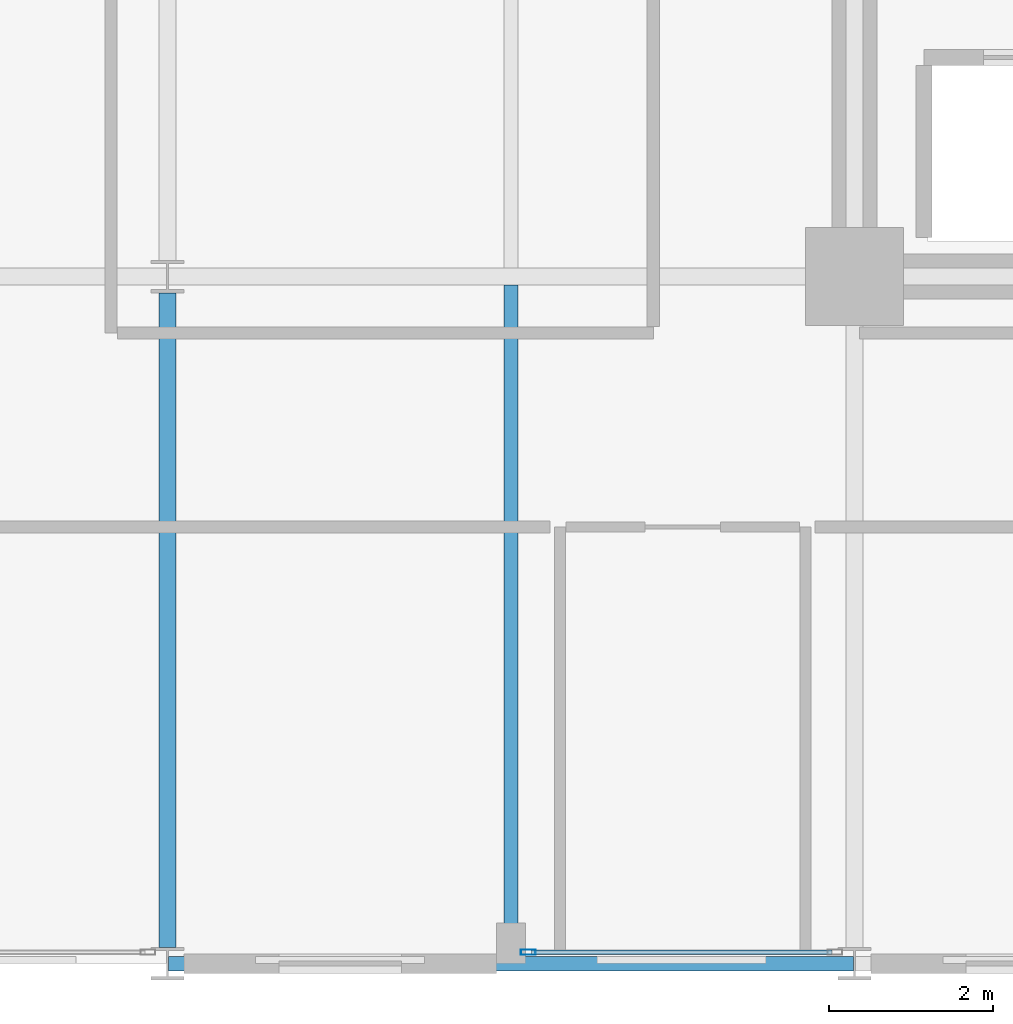
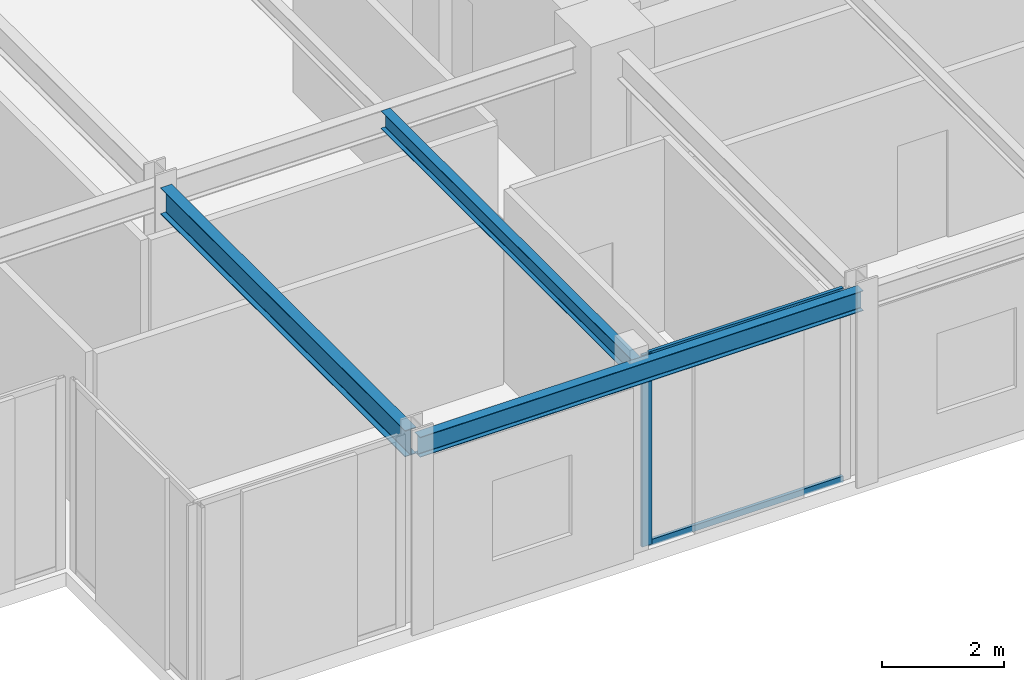
# One storey, part 3 of 29: 3 beams, 3 members, 1 element without a shape of its own.
"""IFC4 building model written with IfcOpenShell, lengths in metres."""

from ifc_helpers import new_model, si_unit, direction, frame, origin, origin_2d, place, context, subcontext, project, spatial, hollow_rectangle, i_section, extrude, material, layer, layer_set, material_profile, profile_set, type_object, element, aggregate, save


model = new_model("IFC4")

# Units and contexts
model_context = context("Model", 3, precision=1e-05, world=origin(), true_north=direction((0.0, 1.0)))
body_context = subcontext(model_context, "Body", "Model", "MODEL_VIEW")
ifc_project = project(units=[si_unit("LENGTHUNIT", "METRE"), si_unit("AREAUNIT", "SQUARE_METRE"), si_unit("VOLUMEUNIT", "CUBIC_METRE"), si_unit("PLANEANGLEUNIT", "RADIAN"), si_unit("MASSUNIT", "GRAM", prefix="KILO")], contexts=[model_context])

# Site, building, storey
site_placement = place(None, origin())
site = spatial("IfcSite", under=ifc_project, at=site_placement, CompositionType="ELEMENT")
building_placement = place(site_placement, origin())
building = spatial("IfcBuilding", under=site, at=building_placement, Name="Nerrivon Quay Data Exchange", CompositionType="ELEMENT")
storey_placement = place(building_placement, frame((0.0, 0.0, 125.39990234375)))
storey = spatial("IfcBuildingStorey", under=building, at=storey_placement, Name="L29", CompositionType="ELEMENT", Elevation=125.39990234375)

# Beams
ifc_material_1 = material(Name="Steel Grade 350", Category="steel")
ifc_material_profile_1 = material_profile(ifc_material_1, i_section(OverallWidth=0.208984375, OverallDepth=0.528076171875, WebThickness=0.009521484375, FlangeThickness=0.01318359375, FilletRadius=0.013916015625, at=origin_2d()), Name="530UB82.0")
ifc_profile_set_1 = profile_set([ifc_material_profile_1], Name="Steel Grade 350")
beam_type_1 = type_object("IfcBeamType", Name="BM-G4-530UB82", PredefinedType="BEAM", material=ifc_profile_set_1)
beam_1_placement = place(storey_placement, frame((8.39990234375, 0.199951171875, 3.56103515625), z_axis=(0.0, 1.0, 0.0), x_axis=(-1.0, 0.0, 0.0)))
element("IfcBeam", 1, at=beam_1_placement, inside=storey, type_object=beam_type_1, Name="L29 NS Girder X=8.4 (0.0..8.4)", PredefinedType="BEAM", context=body_context, shape_type="SweptSolid", body=[
    extrude(i_section(OverallWidth=0.208984375, OverallDepth=0.528076171875, WebThickness=0.009521484375, FlangeThickness=0.01318359375, FilletRadius=0.013916015625, at=origin_2d()), origin(), (0.0, 0.0, 1.0), 8.0),
])
ifc_material_profile_2 = material_profile(ifc_material_1, i_section(OverallWidth=0.1708984375, OverallDepth=0.35595703125, WebThickness=0.00732421875, FlangeThickness=0.011474609375, FilletRadius=0.011474609375, at=origin_2d()), Name="360UB50.7")
ifc_profile_set_2 = profile_set([ifc_material_profile_2], Name="Steel Grade 350")
beam_type_2 = type_object("IfcBeamType", Name="BM-J4-360UB51", PredefinedType="JOIST", material=ifc_profile_set_2)
beam_2_placement = place(storey_placement, frame((12.60009765625, 0.089111328125, 3.647216796875), z_axis=(0.0, 1.0, 0.0), x_axis=(-1.0, 0.0, 0.0)))
element("IfcBeam", 2, at=beam_2_placement, inside=storey, type_object=beam_type_2, Name="L29 Secondary Joist X=12.6 (0.0..8.4)", PredefinedType="JOIST", context=body_context, shape_type="SweptSolid", body=[
    extrude(i_section(OverallWidth=0.1708984375, OverallDepth=0.35595703125, WebThickness=0.00732421875, FlangeThickness=0.011474609375, FilletRadius=0.011474609375, at=origin_2d()), origin(), (0.0, 0.0, 1.0), 8.206298828125),
])
ifc_material_profile_3 = material_profile(ifc_material_1, i_section(OverallWidth=0.177978515625, OverallDepth=0.403076171875, WebThickness=0.007568359375, FlangeThickness=0.010986328125, FilletRadius=0.011474609375, at=origin_2d()), Name="410UB53.7")
ifc_profile_set_3 = profile_set([ifc_material_profile_3], Name="Steel Grade 350")
beam_type_3 = type_object("IfcBeamType", Name="BM-SP2-410UB54", PredefinedType="SPANDREL", material=ifc_profile_set_3)
beam_3_placement = place(storey_placement, frame((8.41259765625, 0.0, 3.62353515625), z_axis=(1.0, 0.0, 0.0), x_axis=(0.0, 1.0, 0.0)))
element("IfcBeam", 3, at=beam_3_placement, inside=storey, type_object=beam_type_3, Name="L29 EW Girder Y=0.0 (8.4..16.8)", PredefinedType="SPANDREL", context=body_context, shape_type="SweptSolid", body=[
    extrude(i_section(OverallWidth=0.177978515625, OverallDepth=0.403076171875, WebThickness=0.007568359375, FlangeThickness=0.010986328125, FilletRadius=0.011474609375, at=origin_2d()), origin(), (0.0, 0.0, 1.0), 8.375),
])

# Curtain wall, members
ifc_material_2 = material(Name="Anodised aluminium 6063-T6", Category="aluminium")
ifc_layer = layer(ifc_material_2, 0.2099609375)
ifc_layer_set = layer_set([ifc_layer], Name="Anodised aluminium 6063-T6")
curtain_wall_type = type_object("IfcCurtainWallType", Name="CW-SYS-02", PredefinedType="NOTDEFINED", material=ifc_layer_set)
curtain_wall_placement = place(storey_placement, origin())
curtain_wall = element("IfcCurtainWall", 4, at=curtain_wall_placement, inside=storey, type_object=curtain_wall_type, Name="L29 Unitised Curtain Wall 6", PredefinedType="NOTDEFINED")
ifc_material_profile_4 = material_profile(ifc_material_2, hollow_rectangle(XDim=0.06494140625, YDim=0.179931640625, WallThickness=0.00341796875, at=origin_2d()), Name="ALU-MULL-180x65")
ifc_profile_set_4 = profile_set([ifc_material_profile_4], Name="Anodised aluminium 6063-T6")
member_type_1 = type_object("IfcMemberType", Name="CWM-180x65", PredefinedType="MULLION", material=ifc_profile_set_4)
member_1_placement = place(storey_placement, frame((12.8125, 0.139892578125, 0.0), z_axis=(0.0, 0.0, 1.0), x_axis=(0.0, -1.0, 0.0)))
member_1 = element("IfcMember", 5, at=member_1_placement, type_object=member_type_1, Name="CW02 mullion 2", PredefinedType="MULLION", context=body_context, shape_type="SweptSolid", body=[
    extrude(hollow_rectangle(XDim=0.06494140625, YDim=0.179931640625, WallThickness=0.00341796875, at=origin_2d()), origin(), (0.0, 0.0, 1.0), 3.8251953125),
])
ifc_material_profile_5 = material_profile(ifc_material_2, hollow_rectangle(XDim=0.06005859375, YDim=0.1201171875, WallThickness=0.003173828125, at=origin_2d()), Name="ALU-TRAN-120x60")
ifc_profile_set_5 = profile_set([ifc_material_profile_5], Name="Anodised aluminium 6063-T6")
member_type_2 = type_object("IfcMemberType", Name="CWT-120x60", PredefinedType="USERDEFINED", material=ifc_profile_set_5)
member_2_placement = place(storey_placement, frame((16.52490234375, 0.139892578125, 0.03271484375), z_axis=(-1.0, 0.0, 0.0), x_axis=(0.0, -1.0, 0.0)))
member_2 = element("IfcMember", 6, at=member_2_placement, type_object=member_type_2, Name="CW02 transom 1.1", ObjectType="TRANSOM", PredefinedType="USERDEFINED", context=body_context, shape_type="SweptSolid", body=[
    extrude(hollow_rectangle(XDim=0.06005859375, YDim=0.1201171875, WallThickness=0.003173828125, at=origin_2d()), origin(), (0.0, 0.0, 1.0), 3.6748046875),
])
member_3_placement = place(storey_placement, frame((16.52490234375, 0.139892578125, 3.79248046875), z_axis=(-1.0, 0.0, 0.0), x_axis=(0.0, -1.0, 0.0)))
member_3 = element("IfcMember", 7, at=member_3_placement, type_object=member_type_2, Name="CW02 transom 1.2", ObjectType="TRANSOM", PredefinedType="USERDEFINED", context=body_context, shape_type="SweptSolid", body=[
    extrude(hollow_rectangle(XDim=0.06005859375, YDim=0.1201171875, WallThickness=0.003173828125, at=origin_2d()), origin(), (0.0, 0.0, 1.0), 3.6748046875),
])
aggregate(curtain_wall, [member_1, member_2, member_3])

save(model, "model.ifc")
